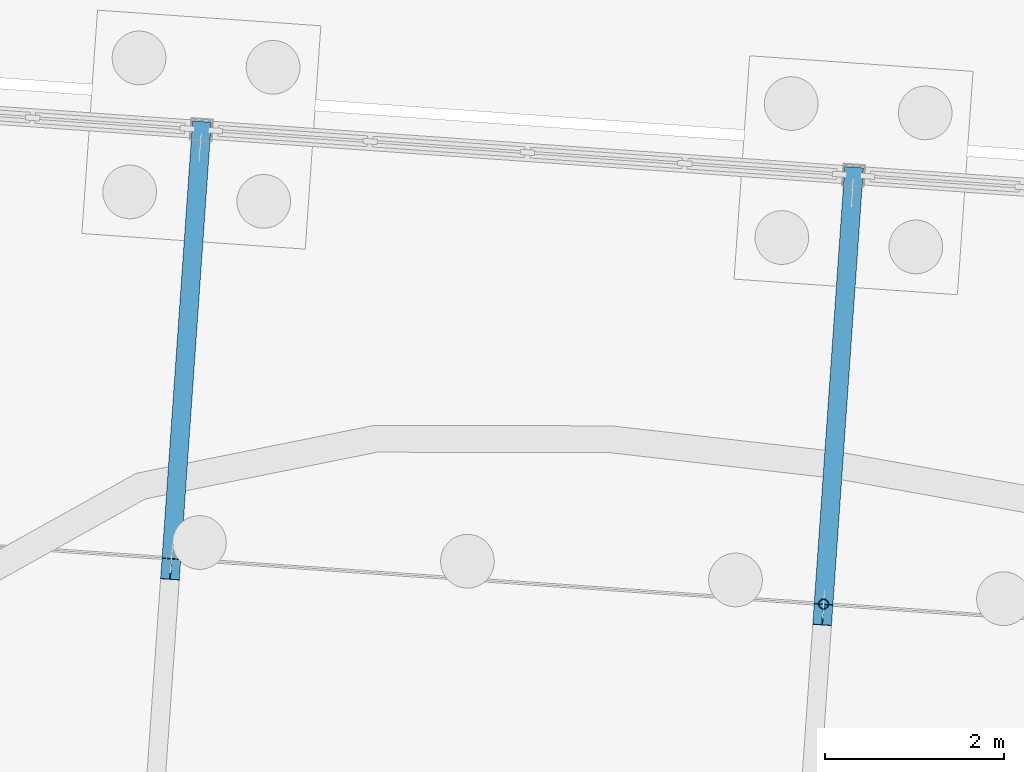
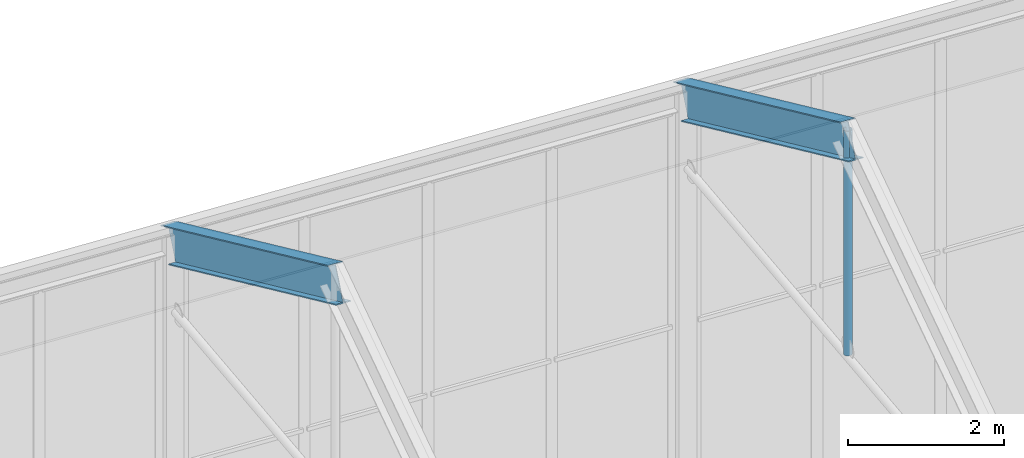
# One storey, part 60 of 157: 3 members.
"""IFC4 building model written with IfcOpenShell, lengths in metres."""

from ifc_helpers import new_model, si_unit, direction, frame, origin, origin_2d, place, context, subcontext, project, spatial, hollow_circle, i_section, extrude, material, material_profile, profile_set, type_object, element, save


model = new_model("IFC4")

# Units and contexts
model_context = context("Model", 3, precision=1e-05, world=origin(), true_north=direction((0.0, 1.0)))
body_context = subcontext(model_context, "Body", "Model", "MODEL_VIEW")
ifc_project = project(units=[si_unit("LENGTHUNIT", "METRE"), si_unit("AREAUNIT", "SQUARE_METRE"), si_unit("VOLUMEUNIT", "CUBIC_METRE"), si_unit("PLANEANGLEUNIT", "RADIAN"), si_unit("MASSUNIT", "GRAM", prefix="KILO")], contexts=[model_context])

# Site, building, storey
site_placement = place(None, origin())
site = spatial("IfcSite", under=ifc_project, at=site_placement, CompositionType="ELEMENT")
building_placement = place(site_placement, origin())
building = spatial("IfcBuilding", under=site, at=building_placement, Name="Windward Yard Aquatics Centre", CompositionType="ELEMENT")
storey_placement = place(building_placement, origin())
storey = spatial("IfcBuildingStorey", under=building, at=storey_placement, Name="L00", CompositionType="ELEMENT", Elevation=0.0)

# Members
ifc_material = material(Name="Steel S355", Category="steel")
ifc_material_profile_1 = material_profile(ifc_material, hollow_circle(Radius=0.05712890625, WallThickness=0.006103515625, at=origin_2d()), Name="CHS114x6")
ifc_profile_set_1 = profile_set([ifc_material_profile_1], Name="Steel S355")
member_type_1 = type_object("IfcMemberType", Name="W CHS114x6 post", PredefinedType="POST", material=ifc_profile_set_1)
member_placement = place(storey_placement, frame((87.420166015625, 132.729736328125, 9.25), z_axis=(0.0, 0.0, 1.0), x_axis=(1.0, 0.0, 0.0)))
element("IfcMember", 1, at=member_placement, inside=storey, type_object=member_type_1, Name="W.STRUT.3.2", PredefinedType="POST", context=body_context, shape_type="SweptSolid", body=[
    extrude(hollow_circle(Radius=0.05712890625, WallThickness=0.006103515625, at=origin_2d()), origin(), (0.0, 0.0, 1.0), 3.510009765625),
])
ifc_material_profile_2 = material_profile(ifc_material, i_section(OverallWidth=0.208984375, OverallDepth=0.532958984375, WebThickness=0.01025390625, FlangeThickness=0.015625, at=origin_2d()), Name="W530x92")
ifc_profile_set_2 = profile_set([ifc_material_profile_2], Name="Steel S355")
member_type_2 = type_object("IfcMemberType", Name="W W530x92 rafter", PredefinedType="RAFTER", material=ifc_profile_set_2)
for number, where, z_axis, x_axis, name in (
    (2, (80.129638671875, 133.1201171875, 12.66162109375), (0.062391425024, 0.892237572744, -0.447235311516), (-0.997564042786, 0.069756580627, 0.0), "W.RAF.2.4"),
    (3, (87.411865234375, 132.61083984375, 12.66162109375), (0.062346937684, 0.892240058053, -0.44723655728), (-0.99756751624, 0.069706890213, 0.0), "W.RAF.3.4"),
):
    element("IfcMember", number, at=place(storey_placement, frame(where, z_axis=z_axis, x_axis=x_axis)), inside=storey, type_object=member_type_2, Name=name, PredefinedType="RAFTER", context=body_context, shape_type="SweptSolid", body=[
        extrude(i_section(OverallWidth=0.208984375, OverallDepth=0.532958984375, WebThickness=0.01025390625, FlangeThickness=0.015625, at=origin_2d()), origin(), (0.0, 0.0, 1.0), 5.466552734375),
    ])

save(model, "model.ifc")
